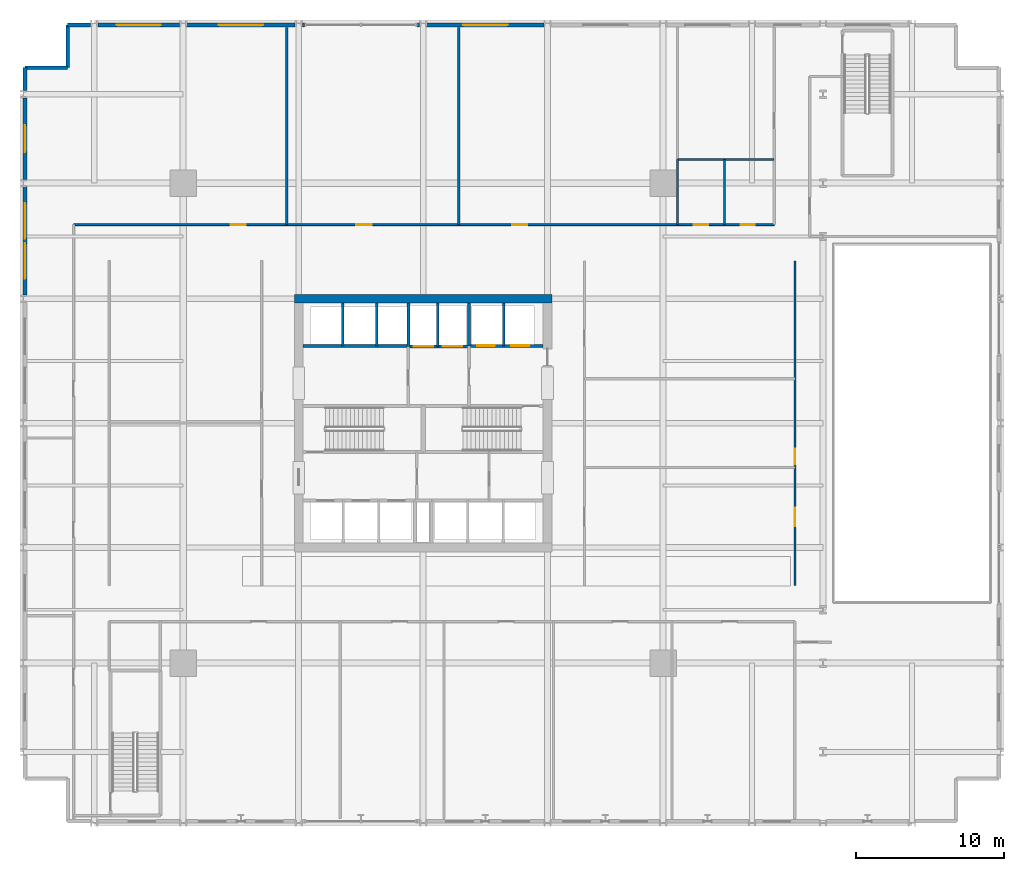
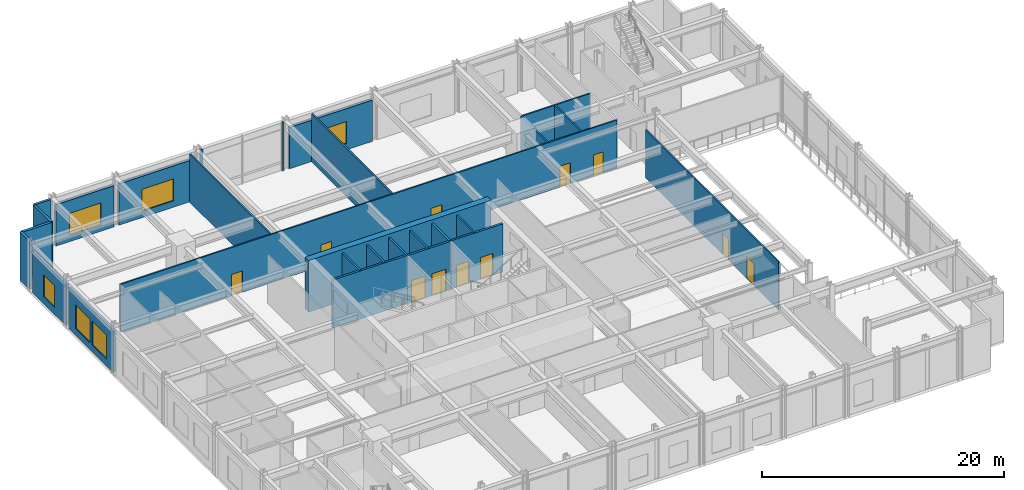
# One storey, part 13 of 21: 28 walls, 11 doors, 6 windows, 17 openings.
"""IFC4 building model written with IfcOpenShell, lengths in metres."""

from ifc_helpers import new_model, si_unit, direction, frame, frame_2d, origin, place, context, subcontext, project, spatial, rectangle, extrude, material, layer, layer_set, type_object, element, fill, save


model = new_model("IFC4")

# Units and contexts
model_context = context("Model", 3, precision=1e-05, world=origin(), true_north=direction((0.0, 1.0)))
body_context = subcontext(model_context, "Body", "Model", "MODEL_VIEW")
ifc_project = project(units=[si_unit("LENGTHUNIT", "METRE"), si_unit("AREAUNIT", "SQUARE_METRE"), si_unit("VOLUMEUNIT", "CUBIC_METRE"), si_unit("PLANEANGLEUNIT", "RADIAN"), si_unit("MASSUNIT", "GRAM", prefix="KILO")], contexts=[model_context])

# Site, building, storey
site_placement = place(None, origin())
site = spatial("IfcSite", under=ifc_project, at=site_placement, CompositionType="ELEMENT")
building_placement = place(site_placement, origin())
building = spatial("IfcBuilding", under=site, at=building_placement, Name="Drelvath Grand Hotel", CompositionType="ELEMENT")
storey_placement = place(building_placement, frame((0.0, 0.0, 22.39990234375)))
storey = spatial("IfcBuildingStorey", under=building, at=storey_placement, Name="L04", CompositionType="ELEMENT", Elevation=22.39990234375)

# Wall, openings, doors
ifc_material_1 = material(Name="Concrete C40/50", Category="concrete")
ifc_layer_1 = layer(ifc_material_1, 0.199951171875)
ifc_layer_set_1 = layer_set([ifc_layer_1], Name="Concrete C40/50")
wall_type_1 = type_object("IfcWallType", Name="Core Hoistway Fire Wall 200", PredefinedType="SOLIDWALL", material=ifc_layer_set_1)
wall_1_placement = place(storey_placement, frame((3.10009765625, 32.219970703125, 0.0), z_axis=(0.0, 0.0, 1.0), x_axis=(1.0, 0.0, 0.0)))
wall_1 = element("IfcWall", 1, at=wall_1_placement, inside=storey, type_object=wall_type_1, Name="L04 FSAE Hoistway Front Wall", PredefinedType="SOLIDWALL", context=body_context, shape_type="SweptSolid", body=[
    extrude(rectangle(XDim=5.0, YDim=0.199951171875, at=frame_2d((2.5, 0.0))), origin(), (0.0, 0.0, 1.0), 4.85009765625),
])
opening_1_placement = place(wall_1_placement, frame((0.550048828125, 0.0, 0.0)))
opening_1 = element("IfcOpeningElement", 2, at=opening_1_placement, cuts=wall_1, Name="Opening LD-FSAE-1", PredefinedType="OPENING", context=body_context, shape_type="SweptSolid", body=[
    extrude(rectangle(XDim=1.199951171875, YDim=2.199951171875, at=frame_2d((0.60009765625, 1.10009765625))), frame((0.0, 0.10986328125, 0.0), z_axis=(0.0, -1.0, 0.0), x_axis=(1.0, 0.0, 0.0)), (0.0, 0.0, 1.0), 0.219970703125),
])
opening_2_placement = place(wall_1_placement, frame((2.85009765625, 0.0, 0.0)))
opening_2 = element("IfcOpeningElement", 3, at=opening_2_placement, cuts=wall_1, Name="Opening LD-FSAE-2", PredefinedType="OPENING", context=body_context, shape_type="SweptSolid", body=[
    extrude(rectangle(XDim=1.199951171875, YDim=2.199951171875, at=frame_2d((0.60009765625, 1.10009765625))), frame((0.0, 0.10986328125, 0.0), z_axis=(0.0, -1.0, 0.0), x_axis=(1.0, 0.0, 0.0)), (0.0, 0.0, 1.0), 0.219970703125),
])
ifc_material_2 = material(Name="Stainless Steel S355", Category="steel")
door_type_1 = type_object("IfcDoorType", Name="FSAE Lift Sliding Landing Door 1200x2200", OperationType="NOTDEFINED", PredefinedType="DOOR", material=ifc_material_2)
door_1_placement = place(opening_1_placement, origin())
door_1 = element("IfcDoor", 4, at=door_1_placement, inside=storey, type_object=door_type_1, Name="L04 Lift FSAE-1 Landing Door", OperationType="SLIDING_TO_LEFT", OverallHeight=2.199951171875, OverallWidth=1.199951171875, PredefinedType="DOOR", context=body_context, shape_type="SweptSolid", body=[
    extrude(rectangle(XDim=1.199951171875, YDim=2.199951171875, at=frame_2d((0.60009765625, 1.10009765625))), frame((0.0, 0.02490234375, 0.0), z_axis=(0.0, -1.0, 0.0), x_axis=(1.0, 0.0, 0.0)), (0.0, 0.0, 1.0), 0.050048828125),
])
fill(opening_1, door_1)
door_2_placement = place(opening_2_placement, origin())
door_2 = element("IfcDoor", 5, at=door_2_placement, inside=storey, type_object=door_type_1, Name="L04 Lift FSAE-2 Landing Door", OperationType="SLIDING_TO_LEFT", OverallHeight=2.199951171875, OverallWidth=1.199951171875, PredefinedType="DOOR", context=body_context, shape_type="SweptSolid", body=[
    extrude(rectangle(XDim=1.199951171875, YDim=2.199951171875, at=frame_2d((0.60009765625, 1.10009765625))), frame((0.0, 0.02490234375, 0.0), z_axis=(0.0, -1.0, 0.0), x_axis=(1.0, 0.0, 0.0)), (0.0, 0.0, 1.0), 0.050048828125),
])
fill(opening_2, door_2)

# Wall
wall_2_placement = place(storey_placement, frame((3.10009765625, 32.219970703125, 0.0), z_axis=(0.0, 0.0, 1.0), x_axis=(0.0, 1.0, 0.0)))
element("IfcWall", 6, at=wall_2_placement, inside=storey, type_object=wall_type_1, Name="L04 FSAE Hoistway West Wall", PredefinedType="SOLIDWALL", context=body_context, shape_type="SweptSolid", body=[
    extrude(rectangle(XDim=2.880126953125, YDim=0.199951171875, at=frame_2d((1.43994140625, 0.0))), origin(), (0.0, 0.0, 1.0), 4.85009765625),
])

# Wall, openings, doors
wall_3_placement = place(storey_placement, frame((-1.0, 32.179931640625, 0.0), z_axis=(0.0, 0.0, 1.0), x_axis=(1.0, 0.0, 0.0)))
wall_3 = element("IfcWall", 7, at=wall_3_placement, inside=storey, type_object=wall_type_1, Name="L04 Service Lift Hoistway Wall", PredefinedType="SOLIDWALL", context=body_context, shape_type="SweptSolid", body=[
    extrude(rectangle(XDim=4.10009765625, YDim=0.199951171875, at=frame_2d((2.050048828125, 0.0))), origin(), (0.0, 0.0, 1.0), 4.85009765625),
])
opening_3_placement = place(wall_3_placement, frame((0.3701171875, 0.0, 0.0)))
opening_3 = element("IfcOpeningElement", 8, at=opening_3_placement, cuts=wall_3, Name="Opening LD-SV-2", PredefinedType="OPENING", context=body_context, shape_type="SweptSolid", body=[
    extrude(rectangle(XDim=1.300048828125, YDim=2.199951171875, at=frame_2d((0.64990234375, 1.10009765625))), frame((0.0, 0.10986328125, 0.0), z_axis=(0.0, -1.0, 0.0), x_axis=(1.0, 0.0, 0.0)), (0.0, 0.0, 1.0), 0.219970703125),
])
opening_4_placement = place(wall_3_placement, frame((2.330078125, 0.0, 0.0)))
opening_4 = element("IfcOpeningElement", 9, at=opening_4_placement, cuts=wall_3, Name="Opening LD-SV-1", PredefinedType="OPENING", context=body_context, shape_type="SweptSolid", body=[
    extrude(rectangle(XDim=1.300048828125, YDim=2.199951171875, at=frame_2d((0.64990234375, 1.10009765625))), frame((0.0, 0.10986328125, 0.0), z_axis=(0.0, -1.0, 0.0), x_axis=(1.0, 0.0, 0.0)), (0.0, 0.0, 1.0), 0.219970703125),
])
door_type_2 = type_object("IfcDoorType", Name="Service Lift Sliding Landing Door 1300x2200", OperationType="NOTDEFINED", PredefinedType="DOOR", material=ifc_material_2)
door_3_placement = place(opening_3_placement, origin())
door_3 = element("IfcDoor", 10, at=door_3_placement, inside=storey, type_object=door_type_2, Name="L04 Lift SV-2 Landing Door", OperationType="SLIDING_TO_LEFT", OverallHeight=2.199951171875, OverallWidth=1.300048828125, PredefinedType="DOOR", context=body_context, shape_type="SweptSolid", body=[
    extrude(rectangle(XDim=1.300048828125, YDim=2.199951171875, at=frame_2d((0.64990234375, 1.10009765625))), frame((0.0, 0.02490234375, 0.0), z_axis=(0.0, -1.0, 0.0), x_axis=(1.0, 0.0, 0.0)), (0.0, 0.0, 1.0), 0.050048828125),
])
fill(opening_3, door_3)
door_4_placement = place(opening_4_placement, origin())
door_4 = element("IfcDoor", 11, at=door_4_placement, inside=storey, type_object=door_type_2, Name="L04 Lift SV-1 Landing Door", OperationType="SLIDING_TO_LEFT", OverallHeight=2.199951171875, OverallWidth=1.300048828125, PredefinedType="DOOR", context=body_context, shape_type="SweptSolid", body=[
    extrude(rectangle(XDim=1.300048828125, YDim=2.199951171875, at=frame_2d((0.64990234375, 1.10009765625))), frame((0.0, 0.02490234375, 0.0), z_axis=(0.0, -1.0, 0.0), x_axis=(1.0, 0.0, 0.0)), (0.0, 0.0, 1.0), 0.050048828125),
])
fill(opening_4, door_4)

# Walls
wall_4_placement = place(storey_placement, frame((-1.0, 32.179931640625, 0.0), z_axis=(0.0, 0.0, 1.0), x_axis=(0.0, 1.0, 0.0)))
element("IfcWall", 12, at=wall_4_placement, inside=storey, type_object=wall_type_1, Name="L04 Service Lift West Wall", PredefinedType="SOLIDWALL", context=body_context, shape_type="SweptSolid", body=[
    extrude(rectangle(XDim=2.920166015625, YDim=0.199951171875, at=frame_2d((1.4599609375, 0.0))), origin(), (0.0, 0.0, 1.0), 4.85009765625),
])
wall_5_placement = place(storey_placement, frame((-8.10009765625, 32.219970703125, 0.0), z_axis=(0.0, 0.0, 1.0), x_axis=(1.0, 0.0, 0.0)))
element("IfcWall", 13, at=wall_5_placement, inside=storey, type_object=wall_type_1, Name="L04 Bank 3 Hoistway Wall", PredefinedType="SOLIDWALL", context=body_context, shape_type="SweptSolid", body=[
    extrude(rectangle(XDim=7.10009765625, YDim=0.199951171875, at=frame_2d((3.550048828125, 0.0))), origin(), (0.0, 0.0, 1.0), 4.85009765625),
])
ifc_material_3 = material(Name="Gypsum Fireboard Partition")
ifc_layer_2 = layer(ifc_material_3, 0.1650390625)
ifc_layer_set_2 = layer_set([ifc_layer_2], Name="Gypsum Fireboard Partition")
wall_type_2 = type_object("IfcWallType", Name="Core Shaft Partition 165", PredefinedType="PARTITIONING", material=ifc_layer_set_2)
wall_6_placement = place(storey_placement, frame((5.449951171875, 32.219970703125, 0.0), z_axis=(0.0, 0.0, 1.0), x_axis=(0.0, 1.0, 0.0)))
element("IfcWall", 14, at=wall_6_placement, inside=storey, type_object=wall_type_2, Name="L04 FSAE Hoistway Divider", PredefinedType="PARTITIONING", context=body_context, shape_type="SweptSolid", body=[
    extrude(rectangle(XDim=2.880126953125, YDim=0.1650390625, at=frame_2d((1.43994140625, 0.0))), origin(), (0.0, 0.0, 1.0), 4.85009765625),
])
wall_7_placement = place(storey_placement, frame((1.0, 32.179931640625, 0.0), z_axis=(0.0, 0.0, 1.0), x_axis=(0.0, 1.0, 0.0)))
element("IfcWall", 15, at=wall_7_placement, inside=storey, type_object=wall_type_2, Name="L04 Service Lift Divider", PredefinedType="PARTITIONING", context=body_context, shape_type="SweptSolid", body=[
    extrude(rectangle(XDim=2.920166015625, YDim=0.1650390625, at=frame_2d((1.4599609375, 0.0))), origin(), (0.0, 0.0, 1.0), 4.85009765625),
])
for number, where, z_axis, x_axis, name in (
    (16, (-5.43994140625, 32.219970703125, 0.0), (0.0, 0.0, 1.0), (0.0, 1.0, 0.0), "L04 Lift PE-7/8 Divider"),
    (17, (-3.1201171875, 32.219970703125, 0.0), (0.0, 0.0, 1.0), (0.0, 1.0, 0.0), "L04 Lift PE-8/9 Divider"),
):
    element("IfcWall", number, at=place(storey_placement, frame(where, z_axis=z_axis, x_axis=x_axis)), inside=storey, type_object=wall_type_2, Name=name, PredefinedType="PARTITIONING", context=body_context, shape_type="SweptSolid", body=[
        extrude(rectangle(XDim=2.880126953125, YDim=0.1650390625, at=frame_2d((1.43994140625, 0.0))), origin(), (0.0, 0.0, 1.0), 4.85009765625),
    ])

# Wall, openings, doors
ifc_layer_3 = layer(ifc_material_3, 0.135009765625)
ifc_layer_set_3 = layer_set([ifc_layer_3], Name="Gypsum Fireboard Partition")
wall_type_3 = type_object("IfcWallType", Name="Corridor Fire Barrier Wall 135", PredefinedType="PARTITIONING", material=ifc_layer_set_3)
wall_8_placement = place(storey_placement, frame((-23.60009765625, 40.39990234375, 0.0), z_axis=(0.0, 0.0, 1.0), x_axis=(1.0, 0.0, 0.0)))
wall_8 = element("IfcWall", 18, at=wall_8_placement, inside=storey, type_object=wall_type_3, Name="L04 North Gallery Wall", PredefinedType="PARTITIONING", context=body_context, shape_type="SweptSolid", body=[
    extrude(rectangle(XDim=47.300048828125, YDim=0.135009765625, at=frame_2d((23.64990234375, 0.0))), origin(), (0.0, 0.0, 1.0), 4.85009765625),
])
opening_5_placement = place(wall_8_placement, frame((41.8798828125, 0.0, 0.0)))
opening_5 = element("IfcOpeningElement", 19, at=opening_5_placement, cuts=wall_8, Name="Opening D-L04-019", PredefinedType="OPENING", context=body_context, shape_type="SweptSolid", body=[
    extrude(rectangle(XDim=0.97998046875, YDim=2.10009765625, at=frame_2d((0.489990234375, 1.050048828125))), frame((0.0, 0.077392578125, 0.0), z_axis=(0.0, -1.0, 0.0), x_axis=(1.0, 0.0, 0.0)), (0.0, 0.0, 1.0), 0.155029296875),
])
opening_6_placement = place(wall_8_placement, frame((45.06005859375, 0.0, 0.0)))
opening_6 = element("IfcOpeningElement", 20, at=opening_6_placement, cuts=wall_8, Name="Opening D-L04-020", PredefinedType="OPENING", context=body_context, shape_type="SweptSolid", body=[
    extrude(rectangle(XDim=0.919921875, YDim=2.10009765625, at=frame_2d((0.4599609375, 1.050048828125))), frame((0.0, 0.077392578125, 0.0), z_axis=(0.0, -1.0, 0.0), x_axis=(1.0, 0.0, 0.0)), (0.0, 0.0, 1.0), 0.155029296875),
])
opening_7_placement = place(wall_8_placement, frame((10.60009765625, 0.0, 0.0)))
opening_7 = element("IfcOpeningElement", 21, at=opening_7_placement, cuts=wall_8, Name="Opening D-L04-030", PredefinedType="OPENING", context=body_context, shape_type="SweptSolid", body=[
    extrude(rectangle(XDim=1.02001953125, YDim=2.14990234375, at=frame_2d((0.510009765625, 1.074951171875))), frame((0.0, 0.077392578125, 0.0), z_axis=(0.0, -1.0, 0.0), x_axis=(1.0, 0.0, 0.0)), (0.0, 0.0, 1.0), 0.155029296875),
])
opening_8_placement = place(wall_8_placement, frame((19.10009765625, 0.0, 0.0)))
opening_8 = element("IfcOpeningElement", 22, at=opening_8_placement, cuts=wall_8, Name="Opening D-L04-031", PredefinedType="OPENING", context=body_context, shape_type="SweptSolid", body=[
    extrude(rectangle(XDim=1.02001953125, YDim=2.14990234375, at=frame_2d((0.510009765625, 1.074951171875))), frame((0.0, 0.077392578125, 0.0), z_axis=(0.0, -1.0, 0.0), x_axis=(1.0, 0.0, 0.0)), (0.0, 0.0, 1.0), 0.155029296875),
])
opening_9_placement = place(wall_8_placement, frame((29.60009765625, 0.0, 0.0)))
opening_9 = element("IfcOpeningElement", 23, at=opening_9_placement, cuts=wall_8, Name="Opening D-L04-032", PredefinedType="OPENING", context=body_context, shape_type="SweptSolid", body=[
    extrude(rectangle(XDim=1.02001953125, YDim=2.14990234375, at=frame_2d((0.510009765625, 1.074951171875))), frame((0.0, 0.077392578125, 0.0), z_axis=(0.0, -1.0, 0.0), x_axis=(1.0, 0.0, 0.0)), (0.0, 0.0, 1.0), 0.155029296875),
])
ifc_material_4 = material(Name="Hardwood Walnut Timber", Category="wood")
door_type_3 = type_object("IfcDoorType", Name="Accessible WC Door 980x2100", OperationType="NOTDEFINED", PredefinedType="DOOR", material=ifc_material_4)
door_5_placement = place(opening_5_placement, origin())
door_5 = element("IfcDoor", 24, at=door_5_placement, inside=storey, type_object=door_type_3, Name="L04 Accessible WC Door", OperationType="SINGLE_SWING_RIGHT", OverallHeight=2.10009765625, OverallWidth=0.97998046875, PredefinedType="DOOR", context=body_context, shape_type="SweptSolid", body=[
    extrude(rectangle(XDim=0.97998046875, YDim=2.10009765625, at=frame_2d((0.489990234375, 1.050048828125))), frame((0.0, 0.02490234375, 0.0), z_axis=(0.0, -1.0, 0.0), x_axis=(1.0, 0.0, 0.0)), (0.0, 0.0, 1.0), 0.050048828125),
])
fill(opening_5, door_5)
door_type_4 = type_object("IfcDoorType", Name="Amenity Meeting Fire Door 1020x2150", OperationType="NOTDEFINED", PredefinedType="DOOR", material=ifc_material_4)
door_6_placement = place(opening_7_placement, origin())
door_6 = element("IfcDoor", 25, at=door_6_placement, inside=storey, type_object=door_type_4, Name="L04 Plenary Hall Door", OperationType="SINGLE_SWING_LEFT", OverallHeight=2.14990234375, OverallWidth=1.02001953125, PredefinedType="DOOR", context=body_context, shape_type="SweptSolid", body=[
    extrude(rectangle(XDim=1.02001953125, YDim=2.14990234375, at=frame_2d((0.510009765625, 1.074951171875))), frame((0.0, 0.02490234375, 0.0), z_axis=(0.0, -1.0, 0.0), x_axis=(1.0, 0.0, 0.0)), (0.0, 0.0, 1.0), 0.050048828125),
])
fill(opening_7, door_6)
door_7_placement = place(opening_8_placement, origin())
door_7 = element("IfcDoor", 26, at=door_7_placement, inside=storey, type_object=door_type_4, Name="L04 Delegate Lounge Door", OperationType="SINGLE_SWING_RIGHT", OverallHeight=2.14990234375, OverallWidth=1.02001953125, PredefinedType="DOOR", context=body_context, shape_type="SweptSolid", body=[
    extrude(rectangle(XDim=1.02001953125, YDim=2.14990234375, at=frame_2d((0.510009765625, 1.074951171875))), frame((0.0, 0.02490234375, 0.0), z_axis=(0.0, -1.0, 0.0), x_axis=(1.0, 0.0, 0.0)), (0.0, 0.0, 1.0), 0.050048828125),
])
fill(opening_8, door_7)
door_8_placement = place(opening_9_placement, origin())
door_8 = element("IfcDoor", 27, at=door_8_placement, inside=storey, type_object=door_type_4, Name="L04 Espresso Pantry Door", OperationType="SINGLE_SWING_LEFT", OverallHeight=2.14990234375, OverallWidth=1.02001953125, PredefinedType="DOOR", context=body_context, shape_type="SweptSolid", body=[
    extrude(rectangle(XDim=1.02001953125, YDim=2.14990234375, at=frame_2d((0.510009765625, 1.074951171875))), frame((0.0, 0.02490234375, 0.0), z_axis=(0.0, -1.0, 0.0), x_axis=(1.0, 0.0, 0.0)), (0.0, 0.0, 1.0), 0.050048828125),
])
fill(opening_9, door_8)
ifc_material_5 = material(Name="Painted Steel S275", Category="steel")
door_type_5 = type_object("IfcDoorType", Name="Staff Utility Door 920x2100", OperationType="NOTDEFINED", PredefinedType="DOOR", material=ifc_material_5)
door_9_placement = place(opening_6_placement, origin())
door_9 = element("IfcDoor", 28, at=door_9_placement, inside=storey, type_object=door_type_5, Name="L04 Public Restroom Door", OperationType="SINGLE_SWING_LEFT", OverallHeight=2.10009765625, OverallWidth=0.919921875, PredefinedType="DOOR", context=body_context, shape_type="SweptSolid", body=[
    extrude(rectangle(XDim=0.919921875, YDim=2.10009765625, at=frame_2d((0.4599609375, 1.050048828125))), frame((0.0, 0.02490234375, 0.0), z_axis=(0.0, -1.0, 0.0), x_axis=(1.0, 0.0, 0.0)), (0.0, 0.0, 1.0), 0.050048828125),
])
fill(opening_6, door_9)

wall_9_placement = place(storey_placement, frame((25.10009765625, 16.0400390625, 0.0), z_axis=(0.0, 0.0, 1.0), x_axis=(0.0, 1.0, 0.0)))
wall_9 = element("IfcWall", 29, at=wall_9_placement, inside=storey, type_object=wall_type_3, Name="L04 Atrium Promenade Inner Wall", PredefinedType="PARTITIONING", context=body_context, shape_type="SweptSolid", body=[
    extrude(rectangle(XDim=21.919921875, YDim=0.135009765625, at=frame_2d((10.9599609375, 0.0))), origin(), (0.0, 0.0, 1.0), 4.85009765625),
])
opening_10_placement = place(wall_9_placement, frame((8.199951171875, 0.0, 0.0)))
opening_10 = element("IfcOpeningElement", 30, at=opening_10_placement, cuts=wall_9, Name="Opening D-L04-024", PredefinedType="OPENING", context=body_context, shape_type="SweptSolid", body=[
    extrude(rectangle(XDim=1.02001953125, YDim=2.14990234375, at=frame_2d((0.510009765625, 1.074951171875))), frame((0.0, 0.077392578125, 0.0), z_axis=(0.0, -1.0, 0.0), x_axis=(1.0, 0.0, 0.0)), (0.0, 0.0, 1.0), 0.155029296875),
])
opening_11_placement = place(wall_9_placement, frame((4.0, 0.0, 0.0)))
opening_11 = element("IfcOpeningElement", 31, at=opening_11_placement, cuts=wall_9, Name="Opening D-L04-039", PredefinedType="OPENING", context=body_context, shape_type="SweptSolid", body=[
    extrude(rectangle(XDim=1.260009765625, YDim=2.199951171875, at=frame_2d((0.6298828125, 1.10009765625))), frame((0.0, 0.077392578125, 0.0), z_axis=(0.0, -1.0, 0.0), x_axis=(1.0, 0.0, 0.0)), (0.0, 0.0, 1.0), 0.155029296875),
])
door_10_placement = place(opening_10_placement, origin())
door_10 = element("IfcDoor", 32, at=door_10_placement, inside=storey, type_object=door_type_4, Name="L04 Breakout Room Atrium Door", OperationType="SINGLE_SWING_LEFT", OverallHeight=2.14990234375, OverallWidth=1.02001953125, PredefinedType="DOOR", context=body_context, shape_type="SweptSolid", body=[
    extrude(rectangle(XDim=1.02001953125, YDim=2.14990234375, at=frame_2d((0.510009765625, 1.074951171875))), frame((0.0, 0.02490234375, 0.0), z_axis=(0.0, -1.0, 0.0), x_axis=(1.0, 0.0, 0.0)), (0.0, 0.0, 1.0), 0.050048828125),
])
fill(opening_10, door_10)
door_type_6 = type_object("IfcDoorType", Name="Suite Entrance Fire Door 1260x2200", OperationType="NOTDEFINED", PredefinedType="DOOR", material=ifc_material_4)
door_11_placement = place(opening_11_placement, origin())
door_11 = element("IfcDoor", 33, at=door_11_placement, inside=storey, type_object=door_type_6, Name="L04 Center-East Room Atrium Door", OperationType="SINGLE_SWING_RIGHT", OverallHeight=2.199951171875, OverallWidth=1.260009765625, PredefinedType="DOOR", context=body_context, shape_type="SweptSolid", body=[
    extrude(rectangle(XDim=1.260009765625, YDim=2.199951171875, at=frame_2d((0.6298828125, 1.10009765625))), frame((0.0, 0.02490234375, 0.0), z_axis=(0.0, -1.0, 0.0), x_axis=(1.0, 0.0, 0.0)), (0.0, 0.0, 1.0), 0.050048828125),
])
fill(opening_11, door_11)

# Walls
ifc_material_6 = material(Name="Moisture-Resistant Gypsum Board")
ifc_layer_4 = layer(ifc_material_6, 0.139892578125)
ifc_layer_set_4 = layer_set([ifc_layer_4], Name="Moisture-Resistant Gypsum Board")
wall_type_4 = type_object("IfcWallType", Name="En-Suite Plumbing Wall 140", PredefinedType="PLUMBINGWALL", material=ifc_layer_set_4)
for number, where, z_axis, x_axis, name in (
    (34, (17.179931640625, 40.39990234375, 0.0), (0.0, 0.0, 1.0), (0.0, 1.0, 0.0), "L04 Restroom West Wall"),
    (35, (20.360107421875, 40.39990234375, 0.0), (0.0, 0.0, 1.0), (0.0, 1.0, 0.0), "L04 Restroom Split Wall"),
):
    element("IfcWall", number, at=place(storey_placement, frame(where, z_axis=z_axis, x_axis=x_axis)), inside=storey, type_object=wall_type_4, Name=name, PredefinedType="PLUMBINGWALL", context=body_context, shape_type="SweptSolid", body=[
        extrude(rectangle(XDim=4.400146484375, YDim=0.139892578125, at=frame_2d((2.2001953125, 0.0))), origin(), (0.0, 0.0, 1.0), 4.85009765625),
    ])
wall_10_placement = place(storey_placement, frame((17.179931640625, 44.800048828125, 0.0), z_axis=(0.0, 0.0, 1.0), x_axis=(1.0, 0.0, 0.0)))
element("IfcWall", 36, at=wall_10_placement, inside=storey, type_object=wall_type_4, Name="L04 Restroom North Back Wall", PredefinedType="PLUMBINGWALL", context=body_context, shape_type="SweptSolid", body=[
    extrude(rectangle(XDim=6.52001953125, YDim=0.139892578125, at=frame_2d((3.260009765625, 0.0))), origin(), (0.0, 0.0, 1.0), 4.85009765625),
])
ifc_material_7 = material(Name="Gypsum Acoustic Partition")
ifc_layer_5 = layer(ifc_material_7, 0.14990234375)
ifc_layer_set_5 = layer_set([ifc_layer_5], Name="Gypsum Acoustic Partition")
wall_type_5 = type_object("IfcWallType", Name="Guestroom Demising Wall 150", PredefinedType="PARTITIONING", material=ifc_layer_set_5)
for number, where, z_axis, x_axis, name in (
    (37, (-9.199951171875, 40.39990234375, 0.0), (0.0, 0.0, 1.0), (0.0, 1.0, 0.0), "L04 L04 North Split 1"),
    (38, (2.39990234375, 40.39990234375, 0.0), (0.0, 0.0, 1.0), (0.0, 1.0, 0.0), "L04 L04 North Split 2"),
):
    element("IfcWall", number, at=place(storey_placement, frame(where, z_axis=z_axis, x_axis=x_axis)), inside=storey, type_object=wall_type_5, Name=name, PredefinedType="PARTITIONING", context=body_context, shape_type="SweptSolid", body=[
        extrude(rectangle(XDim=13.300048828125, YDim=0.14990234375, at=frame_2d((6.64990234375, 0.0))), origin(), (0.0, 0.0, 1.0), 4.85009765625),
    ])
ifc_material_8 = material(Name="Concrete f'c 70 MPa", Category="concrete")
ifc_layer_6 = layer(ifc_material_8, 0.60009765625)
ifc_layer_set_6 = layer_set([ifc_layer_6], Name="Concrete f'c 70 MPa")
wall_type_6 = type_object("IfcWallType", Name="Lower Core RC Shear Wall 600", PredefinedType="SHEAR", material=ifc_layer_set_6)
wall_11_placement = place(storey_placement, frame((-8.699951171875, 35.39990234375, 0.0), z_axis=(0.0, 0.0, 1.0), x_axis=(1.0, 0.0, 0.0)))
element("IfcWall", 39, at=wall_11_placement, inside=storey, type_object=wall_type_6, Name="L04 Central Core Shear Wall N", PredefinedType="SHEAR", context=body_context, shape_type="SweptSolid", body=[
    extrude(rectangle(XDim=17.39990234375, YDim=0.60009765625, at=frame_2d((8.699951171875, 0.0))), origin(), (0.0, 0.0, 1.0), 5.2001953125),
])

# Wall, openings, windows
ifc_material_9 = material(Name="Insulated Granite Rainscreen Assembly", Category="masonry")
ifc_layer_7 = layer(ifc_material_9, 0.239990234375)
ifc_layer_set_7 = layer_set([ifc_layer_7], Name="Insulated Granite Rainscreen Assembly")
wall_type_7 = type_object("IfcWallType", Name="Podium Granite Rainscreen Exterior Wall 240", PredefinedType="STANDARD", material=ifc_layer_set_7)
wall_12_placement = place(storey_placement, frame((-26.8798828125, 35.640869140625, 0.0), z_axis=(0.0, 0.0, 1.0), x_axis=(0.0, 1.0, 0.0)))
wall_12 = element("IfcWall", 40, at=wall_12_placement, inside=storey, type_object=wall_type_7, Name="L04 West Podium Granite Wall 6", PredefinedType="STANDARD", context=body_context, shape_type="SweptSolid", body=[
    extrude(rectangle(XDim=7.318115234375, YDim=0.239990234375, at=frame_2d((3.6591796875, 0.0))), origin(), (0.0, 0.0, 1.0), 4.154541015625),
])
opening_12_placement = place(wall_12_placement, frame((1.10009765625, 0.0, 0.699951171875)))
opening_12 = element("IfcOpeningElement", 41, at=opening_12_placement, cuts=wall_12, Name="Opening W-01", PredefinedType="OPENING", context=body_context, shape_type="SweptSolid", body=[
    extrude(rectangle(XDim=2.39990234375, YDim=2.39990234375, at=frame_2d((1.199951171875, 1.199951171875))), frame((0.0, 0.1298828125, 0.0), z_axis=(0.0, -1.0, 0.0), x_axis=(1.0, 0.0, 0.0)), (0.0, 0.0, 1.0), 0.260009765625),
])
opening_13_placement = place(wall_12_placement, frame((3.818115234375, 0.0, 0.699951171875)))
opening_13 = element("IfcOpeningElement", 42, at=opening_13_placement, cuts=wall_12, Name="Opening W-01", PredefinedType="OPENING", context=body_context, shape_type="SweptSolid", body=[
    extrude(rectangle(XDim=2.39990234375, YDim=2.39990234375, at=frame_2d((1.199951171875, 1.199951171875))), frame((0.0, 0.1298828125, 0.0), z_axis=(0.0, -1.0, 0.0), x_axis=(1.0, 0.0, 0.0)), (0.0, 0.0, 1.0), 0.260009765625),
])
ifc_material_10 = material(Name="Bronze Anodised Low-E Triple Glazing", Category="glass")
window_type_1 = type_object("IfcWindowType", Name="Chicago Triple-Pane Podium Window 2400x2600", PartitioningType="TRIPLE_PANEL_VERTICAL", PredefinedType="WINDOW", material=ifc_material_10)
window_1_placement = place(opening_12_placement, origin())
window_1 = element("IfcWindow", 43, at=window_1_placement, inside=storey, type_object=window_type_1, Name="L04 West Podium Window 6-1", OverallHeight=2.39990234375, OverallWidth=2.39990234375, PartitioningType="SINGLE_PANEL", PredefinedType="WINDOW", context=body_context, shape_type="SweptSolid", body=[
    extrude(rectangle(XDim=2.39990234375, YDim=2.39990234375, at=frame_2d((1.199951171875, 1.199951171875))), frame((0.0, 0.030029296875, 0.0), z_axis=(0.0, -1.0, 0.0), x_axis=(1.0, 0.0, 0.0)), (0.0, 0.0, 1.0), 0.06005859375),
])
fill(opening_12, window_1)
window_2_placement = place(opening_13_placement, origin())
window_2 = element("IfcWindow", 44, at=window_2_placement, inside=storey, type_object=window_type_1, Name="L04 West Podium Window 6-2", OverallHeight=2.39990234375, OverallWidth=2.39990234375, PartitioningType="SINGLE_PANEL", PredefinedType="WINDOW", context=body_context, shape_type="SweptSolid", body=[
    extrude(rectangle(XDim=2.39990234375, YDim=2.39990234375, at=frame_2d((1.199951171875, 1.199951171875))), frame((0.0, 0.030029296875, 0.0), z_axis=(0.0, -1.0, 0.0), x_axis=(1.0, 0.0, 0.0)), (0.0, 0.0, 1.0), 0.06005859375),
])
fill(opening_13, window_2)

# Wall, opening, window
wall_13_placement = place(storey_placement, frame((-26.8798828125, 43.44091796875, 0.0), z_axis=(0.0, 0.0, 1.0), x_axis=(0.0, 1.0, 0.0)))
wall_13 = element("IfcWall", 45, at=wall_13_placement, inside=storey, type_object=wall_type_7, Name="L04 West Podium Granite Wall 7", PredefinedType="STANDARD", context=body_context, shape_type="SweptSolid", body=[
    extrude(rectangle(XDim=5.51806640625, YDim=0.239990234375, at=frame_2d((2.759033203125, 0.0))), origin(), (0.0, 0.0, 1.0), 4.154541015625),
])
opening_14_placement = place(wall_13_placement, frame((1.859130859375, 0.0, 0.699951171875)))
opening_14 = element("IfcOpeningElement", 46, at=opening_14_placement, cuts=wall_13, Name="Opening W-02", PredefinedType="OPENING", context=body_context, shape_type="SweptSolid", body=[
    extrude(rectangle(XDim=1.800048828125, YDim=2.199951171875, at=frame_2d((0.89990234375, 1.10009765625))), frame((0.0, 0.1298828125, 0.0), z_axis=(0.0, -1.0, 0.0), x_axis=(1.0, 0.0, 0.0)), (0.0, 0.0, 1.0), 0.260009765625),
])
window_type_2 = type_object("IfcWindowType", Name="Chicago Double-Pane Podium Window 1800x2400", PartitioningType="DOUBLE_PANEL_VERTICAL", PredefinedType="WINDOW", material=ifc_material_10)
window_3_placement = place(opening_14_placement, origin())
window_3 = element("IfcWindow", 47, at=window_3_placement, inside=storey, type_object=window_type_2, Name="L04 West Podium Window 7", OverallHeight=2.199951171875, OverallWidth=1.800048828125, PartitioningType="SINGLE_PANEL", PredefinedType="WINDOW", context=body_context, shape_type="SweptSolid", body=[
    extrude(rectangle(XDim=1.800048828125, YDim=2.199951171875, at=frame_2d((0.89990234375, 1.10009765625))), frame((0.0, 0.030029296875, 0.0), z_axis=(0.0, -1.0, 0.0), x_axis=(1.0, 0.0, 0.0)), (0.0, 0.0, 1.0), 0.06005859375),
])
fill(opening_14, window_3)

# Walls
for number, where, z_axis, x_axis, name in (
    (48, (-26.8798828125, 49.44091796875, 0.0), (0.0, 0.0, 1.0), (0.0, 1.0, 0.0), "L04 West Podium Granite Wall 8"),
    (49, (-24.0, 53.8798828125, 0.0), (0.0, 0.0, 1.0), (1.0, 0.0, 0.0), "L04 North Podium Granite Wall 1"),
):
    element("IfcWall", number, at=place(storey_placement, frame(where, z_axis=z_axis, x_axis=x_axis)), inside=storey, type_object=wall_type_7, Name=name, PredefinedType="STANDARD", context=body_context, shape_type="SweptSolid", body=[
        extrude(rectangle(XDim=1.55908203125, YDim=0.239990234375, at=frame_2d((0.779541015625, 0.0))), origin(), (0.0, 0.0, 1.0), 4.85009765625),
    ])

# Wall, opening, window
wall_14_placement = place(storey_placement, frame((-21.958984375, 53.8798828125, 0.0), z_axis=(0.0, 0.0, 1.0), x_axis=(1.0, 0.0, 0.0)))
wall_14 = element("IfcWall", 50, at=wall_14_placement, inside=storey, type_object=wall_type_7, Name="L04 North Podium Granite Wall 2", PredefinedType="STANDARD", context=body_context, shape_type="SweptSolid", body=[
    extrude(rectangle(XDim=5.51806640625, YDim=0.239990234375, at=frame_2d((2.759033203125, 0.0))), origin(), (0.0, 0.0, 1.0), 4.154541015625),
])
opening_15_placement = place(wall_14_placement, frame((1.259033203125, 0.0, 0.64990234375)))
opening_15 = element("IfcOpeningElement", 51, at=opening_15_placement, cuts=wall_14, Name="Opening W-03", PredefinedType="OPENING", context=body_context, shape_type="SweptSolid", body=[
    extrude(rectangle(XDim=3.0, YDim=2.199951171875, at=frame_2d((1.5, 1.10009765625))), frame((0.0, 0.1298828125, 0.0), z_axis=(0.0, -1.0, 0.0), x_axis=(1.0, 0.0, 0.0)), (0.0, 0.0, 1.0), 0.260009765625),
])
window_type_3 = type_object("IfcWindowType", Name="Podium Clerestory Ribbon Window 3000x2200", PartitioningType="TRIPLE_PANEL_VERTICAL", PredefinedType="WINDOW", material=ifc_material_10)
window_4_placement = place(opening_15_placement, origin())
window_4 = element("IfcWindow", 52, at=window_4_placement, inside=storey, type_object=window_type_3, Name="L04 North Chicago Window 2", OverallHeight=2.199951171875, OverallWidth=3.0, PartitioningType="SINGLE_PANEL", PredefinedType="WINDOW", context=body_context, shape_type="SweptSolid", body=[
    extrude(rectangle(XDim=3.0, YDim=2.199951171875, at=frame_2d((1.5, 1.10009765625))), frame((0.0, 0.030029296875, 0.0), z_axis=(0.0, -1.0, 0.0), x_axis=(1.0, 0.0, 0.0)), (0.0, 0.0, 1.0), 0.06005859375),
])
fill(opening_15, window_4)

wall_15_placement = place(storey_placement, frame((-15.958984375, 53.8798828125, 0.0), z_axis=(0.0, 0.0, 1.0), x_axis=(1.0, 0.0, 0.0)))
wall_15 = element("IfcWall", 53, at=wall_15_placement, inside=storey, type_object=wall_type_7, Name="L04 North Podium Granite Wall 3", PredefinedType="STANDARD", context=body_context, shape_type="SweptSolid", body=[
    extrude(rectangle(XDim=7.318115234375, YDim=0.239990234375, at=frame_2d((3.6591796875, 0.0))), origin(), (0.0, 0.0, 1.0), 4.154541015625),
])
opening_16_placement = place(wall_15_placement, frame((2.1591796875, 0.0, 0.64990234375)))
opening_16 = element("IfcOpeningElement", 54, at=opening_16_placement, cuts=wall_15, Name="Opening W-03", PredefinedType="OPENING", context=body_context, shape_type="SweptSolid", body=[
    extrude(rectangle(XDim=3.0, YDim=2.199951171875, at=frame_2d((1.5, 1.10009765625))), frame((0.0, 0.1298828125, 0.0), z_axis=(0.0, -1.0, 0.0), x_axis=(1.0, 0.0, 0.0)), (0.0, 0.0, 1.0), 0.260009765625),
])
window_5_placement = place(opening_16_placement, origin())
window_5 = element("IfcWindow", 55, at=window_5_placement, inside=storey, type_object=window_type_3, Name="L04 North Chicago Window 3", OverallHeight=2.199951171875, OverallWidth=3.0, PartitioningType="SINGLE_PANEL", PredefinedType="WINDOW", context=body_context, shape_type="SweptSolid", body=[
    extrude(rectangle(XDim=3.0, YDim=2.199951171875, at=frame_2d((1.5, 1.10009765625))), frame((0.0, 0.030029296875, 0.0), z_axis=(0.0, -1.0, 0.0), x_axis=(1.0, 0.0, 0.0)), (0.0, 0.0, 1.0), 0.06005859375),
])
fill(opening_16, window_5)

# Walls
wall_16_placement = place(storey_placement, frame((-8.1591796875, 53.8798828125, 0.0), z_axis=(0.0, 0.0, 1.0), x_axis=(1.0, 0.0, 0.0)))
element("IfcWall", 56, at=wall_16_placement, inside=storey, type_object=wall_type_7, Name="L04 North Podium Granite Wall 4", PredefinedType="STANDARD", context=body_context, shape_type="SweptSolid", body=[
    extrude(rectangle(XDim=0.1591796875, YDim=0.239990234375, at=frame_2d((0.07958984375, 0.0))), origin(), (0.0, 0.0, 1.0), 4.85009765625),
])
wall_17_placement = place(storey_placement, frame((-0.39990234375, 53.8798828125, 0.0), z_axis=(0.0, 0.0, 1.0), x_axis=(1.0, 0.0, 0.0)))
element("IfcWall", 57, at=wall_17_placement, inside=storey, type_object=wall_type_7, Name="L04 North Podium Granite Wall 5", PredefinedType="STANDARD", context=body_context, shape_type="SweptSolid", body=[
    extrude(rectangle(XDim=0.158935546875, YDim=0.239990234375, at=frame_2d((0.07958984375, 0.0))), origin(), (0.0, 0.0, 1.0), 4.85009765625),
])

# Wall, opening, window
wall_18_placement = place(storey_placement, frame((0.240966796875, 53.8798828125, 0.0), z_axis=(0.0, 0.0, 1.0), x_axis=(1.0, 0.0, 0.0)))
wall_18 = element("IfcWall", 58, at=wall_18_placement, inside=storey, type_object=wall_type_7, Name="L04 North Podium Granite Wall 6", PredefinedType="STANDARD", context=body_context, shape_type="SweptSolid", body=[
    extrude(rectangle(XDim=7.918212890625, YDim=0.239990234375, at=frame_2d((3.958984375, 0.0))), origin(), (0.0, 0.0, 1.0), 4.154541015625),
])
opening_17_placement = place(wall_18_placement, frame((2.458984375, 0.0, 0.64990234375)))
opening_17 = element("IfcOpeningElement", 59, at=opening_17_placement, cuts=wall_18, Name="Opening W-03", PredefinedType="OPENING", context=body_context, shape_type="SweptSolid", body=[
    extrude(rectangle(XDim=3.0, YDim=2.199951171875, at=frame_2d((1.5, 1.10009765625))), frame((0.0, 0.1298828125, 0.0), z_axis=(0.0, -1.0, 0.0), x_axis=(1.0, 0.0, 0.0)), (0.0, 0.0, 1.0), 0.260009765625),
])
window_6_placement = place(opening_17_placement, origin())
window_6 = element("IfcWindow", 60, at=window_6_placement, inside=storey, type_object=window_type_3, Name="L04 North Chicago Window 6", OverallHeight=2.199951171875, OverallWidth=3.0, PartitioningType="SINGLE_PANEL", PredefinedType="WINDOW", context=body_context, shape_type="SweptSolid", body=[
    extrude(rectangle(XDim=3.0, YDim=2.199951171875, at=frame_2d((1.5, 1.10009765625))), frame((0.0, 0.030029296875, 0.0), z_axis=(0.0, -1.0, 0.0), x_axis=(1.0, 0.0, 0.0)), (0.0, 0.0, 1.0), 0.06005859375),
])
fill(opening_17, window_6)

# Walls
for number, where, z_axis, x_axis, name in (
    (61, (-26.8798828125, 51.0, 0.0), (0.0, 0.0, 1.0), (1.0, 0.0, 0.0), "L04 Podium Corner Return Wall CNW1"),
    (62, (-24.0, 51.0, 0.0), (0.0, 0.0, 1.0), (0.0, 1.0, 0.0), "L04 Podium Corner Return Wall CNW2"),
):
    element("IfcWall", number, at=place(storey_placement, frame(where, z_axis=z_axis, x_axis=x_axis)), inside=storey, type_object=wall_type_7, Name=name, PredefinedType="STANDARD", context=body_context, shape_type="SweptSolid", body=[
        extrude(rectangle(XDim=2.8798828125, YDim=0.239990234375, at=frame_2d((1.43994140625, 0.0))), origin(), (0.0, 0.0, 1.0), 4.85009765625),
    ])

save(model, "model.ifc")
